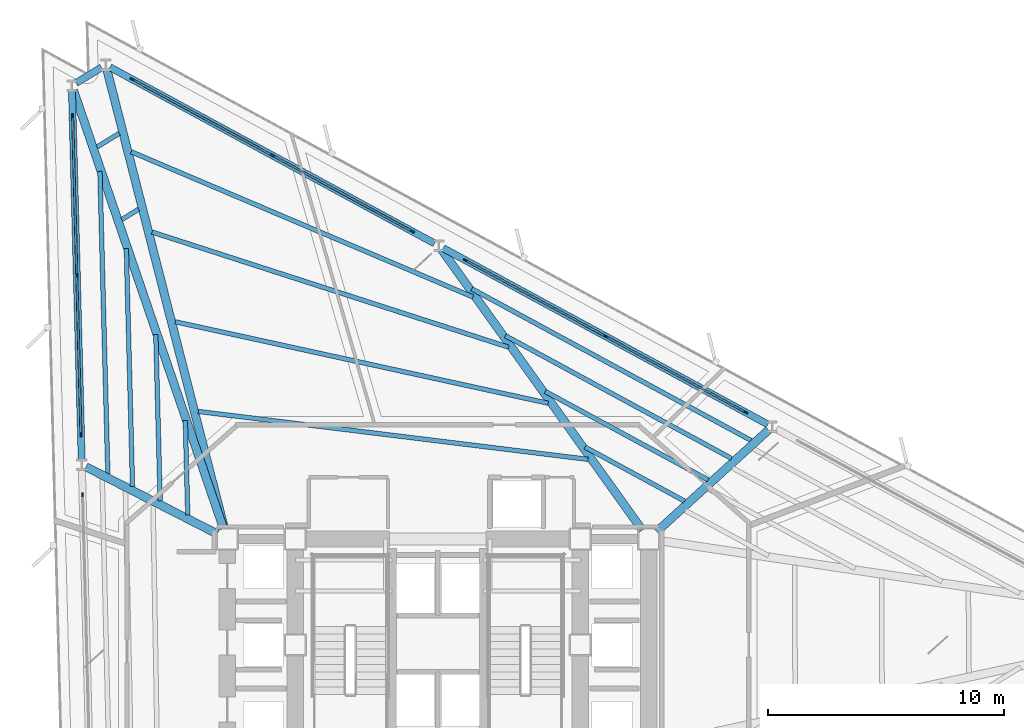
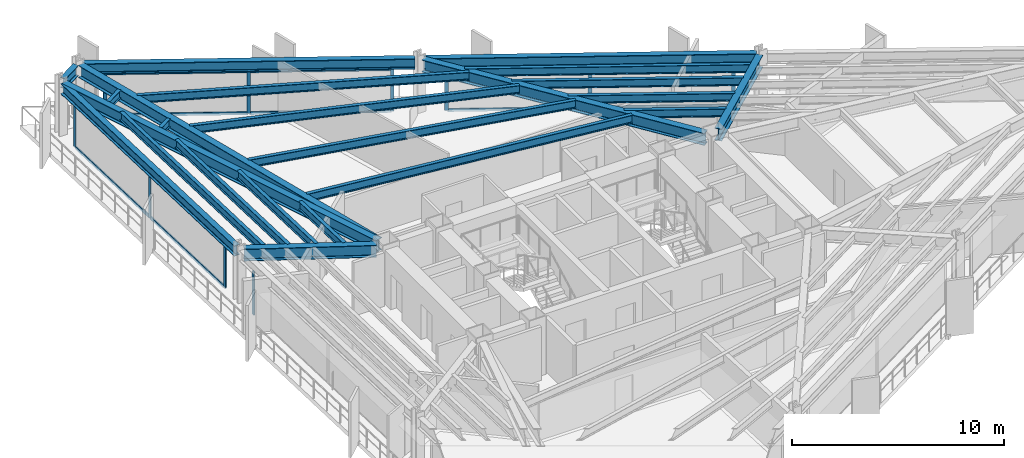
# One storey, part 5 of 14: 23 beams, 22 members, 4 elements without a shape of their own.
"""IFC4 building model written with IfcOpenShell, lengths in metres."""

from ifc_helpers import new_model, si_unit, direction, frame, origin, origin_2d, place, context, subcontext, project, spatial, rectangle, i_section, extrude, material, layer, layer_set, material_profile, profile_set, type_object, element, aggregate, save


model = new_model("IFC4")

# Units and contexts
model_context = context("Model", 3, precision=1e-05, world=origin(), true_north=direction((0.0, 1.0)))
body_context = subcontext(model_context, "Body", "Model", "MODEL_VIEW")
ifc_project = project(units=[si_unit("LENGTHUNIT", "METRE"), si_unit("AREAUNIT", "SQUARE_METRE"), si_unit("VOLUMEUNIT", "CUBIC_METRE"), si_unit("PLANEANGLEUNIT", "RADIAN"), si_unit("MASSUNIT", "GRAM", prefix="KILO")], contexts=[model_context])

# Site, building, storey
site_placement = place(None, origin())
site = spatial("IfcSite", under=ifc_project, at=site_placement, CompositionType="ELEMENT")
building_placement = place(site_placement, origin())
building = spatial("IfcBuilding", under=site, at=building_placement, Name="Rocaltana Carrier Exchange", CompositionType="ELEMENT")
storey_placement = place(building_placement, frame((0.0, 0.0, 25.60009765625)))
storey = spatial("IfcBuildingStorey", under=building, at=storey_placement, Name="L08", CompositionType="ELEMENT", Elevation=25.60009765625)

# Curtain wall, members
ifc_material_1 = material(Name="Aluminium 6063-T6", Category="aluminium")
ifc_layer = layer(ifc_material_1, 0.179931640625)
ifc_layer_set = layer_set([ifc_layer], Name="Aluminium 6063-T6")
curtain_wall_type = type_object("IfcCurtainWallType", Name="Sandstone Spandrel Unitised Curtain Wall CW-01", PredefinedType="NOTDEFINED", material=ifc_layer_set)
curtain_wall_1_placement = place(storey_placement, origin())
curtain_wall_1 = element("IfcCurtainWall", 1, at=curtain_wall_1_placement, inside=storey, type_object=curtain_wall_type, Name="L08 CW-01 Run CW-L08-F1S2", PredefinedType="NOTDEFINED")
ifc_material_2 = material(Name="Aluminium 6063-T6", Category="aluminium")
ifc_material_profile_1 = material_profile(ifc_material_2, rectangle(XDim=0.06494140625, YDim=0.179931640625, at=origin_2d()), Name="AL-65X180")
ifc_profile_set_1 = profile_set([ifc_material_profile_1], Name="Aluminium 6063-T6")
member_type_1 = type_object("IfcMemberType", Name="CW-01 Mullion AL-65X180", PredefinedType="MULLION", material=ifc_profile_set_1)
member_1_placement = place(storey_placement, frame((13.064697265625, 9.87890625, 0.0), z_axis=(0.0, 0.0, 1.0), x_axis=(-0.477164068636, -0.878814230428, 0.0)))
member_1 = element("IfcMember", 2, at=member_1_placement, type_object=member_type_1, Name="CW-01 mullion 1", PredefinedType="MULLION", context=body_context, shape_type="SweptSolid", body=[
    extrude(rectangle(XDim=0.06494140625, YDim=0.179931640625, at=origin_2d()), origin(), (0.0, 0.0, 1.0), 2.477783203125),
])
member_2_placement = place(storey_placement, frame((7.1171875, 13.108154296875, 0.0), z_axis=(0.0, 0.0, 1.0), x_axis=(-0.477164068636, -0.878814230428, 0.0)))
member_2 = element("IfcMember", 3, at=member_2_placement, type_object=member_type_1, Name="CW-01 mullion 2", PredefinedType="MULLION", context=body_context, shape_type="SweptSolid", body=[
    extrude(rectangle(XDim=0.06494140625, YDim=0.179931640625, at=origin_2d()), origin(), (0.0, 0.0, 1.0), 2.477783203125),
])
member_3_placement = place(storey_placement, frame((1.169677734375, 16.33740234375, 0.0), z_axis=(0.0, 0.0, 1.0), x_axis=(-0.477164068636, -0.878814230428, 0.0)))
member_3 = element("IfcMember", 4, at=member_3_placement, type_object=member_type_1, Name="CW-01 mullion 3", PredefinedType="MULLION", context=body_context, shape_type="SweptSolid", body=[
    extrude(rectangle(XDim=0.06494140625, YDim=0.179931640625, at=origin_2d()), origin(), (0.0, 0.0, 1.0), 2.477783203125),
])

curtain_wall_2_placement = place(storey_placement, origin())
curtain_wall_2 = element("IfcCurtainWall", 5, at=curtain_wall_2_placement, inside=storey, type_object=curtain_wall_type, Name="L08 CW-01 Run CW-L08-F1S3", PredefinedType="NOTDEFINED")
member_4_placement = place(storey_placement, frame((-1.08447265625, 17.5615234375, 0.0), z_axis=(0.0, 0.0, 1.0), x_axis=(-0.477155794406, -0.878818722982, 0.0)))
member_4 = element("IfcMember", 6, at=member_4_placement, type_object=member_type_1, Name="CW-01 mullion 1", PredefinedType="MULLION", context=body_context, shape_type="SweptSolid", body=[
    extrude(rectangle(XDim=0.06494140625, YDim=0.179931640625, at=origin_2d()), origin(), (0.0, 0.0, 1.0), 2.477783203125),
])
member_5_placement = place(storey_placement, frame((-7.03173828125, 20.79052734375, 0.0), z_axis=(0.0, 0.0, 1.0), x_axis=(-0.477155794406, -0.878818722982, 0.0)))
member_5 = element("IfcMember", 7, at=member_5_placement, type_object=member_type_1, Name="CW-01 mullion 2", PredefinedType="MULLION", context=body_context, shape_type="SweptSolid", body=[
    extrude(rectangle(XDim=0.06494140625, YDim=0.179931640625, at=origin_2d()), origin(), (0.0, 0.0, 1.0), 2.477783203125),
])
member_6_placement = place(storey_placement, frame((-12.979248046875, 24.019775390625, 0.0), z_axis=(0.0, 0.0, 1.0), x_axis=(-0.477155794406, -0.878818722982, 0.0)))
member_6 = element("IfcMember", 8, at=member_6_placement, type_object=member_type_1, Name="CW-01 mullion 3", PredefinedType="MULLION", context=body_context, shape_type="SweptSolid", body=[
    extrude(rectangle(XDim=0.06494140625, YDim=0.179931640625, at=origin_2d()), origin(), (0.0, 0.0, 1.0), 2.477783203125),
])

curtain_wall_3_placement = place(storey_placement, origin())
curtain_wall_3 = element("IfcCurtainWall", 9, at=curtain_wall_3_placement, inside=storey, type_object=curtain_wall_type, Name="L08 CW-01 Run CW-L08-F2S1", PredefinedType="NOTDEFINED")
member_7_placement = place(storey_placement, frame((-15.50927734375, 22.46923828125, 0.0), z_axis=(0.0, 0.0, 1.0), x_axis=(0.999657143044, 0.026183895077, 0.0)))
member_7 = element("IfcMember", 10, at=member_7_placement, type_object=member_type_1, Name="CW-01 mullion 1", PredefinedType="MULLION", context=body_context, shape_type="SweptSolid", body=[
    extrude(rectangle(XDim=0.06494140625, YDim=0.179931640625, at=origin_2d()), origin(), (0.0, 0.0, 1.0), 2.477783203125),
])
member_8_placement = place(storey_placement, frame((-15.33203125, 15.7041015625, 0.0), z_axis=(0.0, 0.0, 1.0), x_axis=(0.999657143044, 0.026183895077, 0.0)))
member_8 = element("IfcMember", 11, at=member_8_placement, type_object=member_type_1, Name="CW-01 mullion 2", PredefinedType="MULLION", context=body_context, shape_type="SweptSolid", body=[
    extrude(rectangle(XDim=0.06494140625, YDim=0.179931640625, at=origin_2d()), origin(), (0.0, 0.0, 1.0), 2.477783203125),
])
member_9_placement = place(storey_placement, frame((-15.155029296875, 8.93896484375, 0.0), z_axis=(0.0, 0.0, 1.0), x_axis=(0.999657143044, 0.026183895077, 0.0)))
member_9 = element("IfcMember", 12, at=member_9_placement, type_object=member_type_1, Name="CW-01 mullion 3", PredefinedType="MULLION", context=body_context, shape_type="SweptSolid", body=[
    extrude(rectangle(XDim=0.06494140625, YDim=0.179931640625, at=origin_2d()), origin(), (0.0, 0.0, 1.0), 2.477783203125),
])

# Curtain wall, member
curtain_wall_4_placement = place(storey_placement, origin())
curtain_wall_4 = element("IfcCurtainWall", 13, at=curtain_wall_4_placement, inside=storey, type_object=curtain_wall_type, Name="L08 CW-01 Run CW-L08-F2S2", PredefinedType="NOTDEFINED")
member_10_placement = place(storey_placement, frame((-15.087890625, 6.374755859375, 0.0), z_axis=(0.0, 0.0, 1.0), x_axis=(0.99965733548, 0.026176547142, 0.0)))
member_10 = element("IfcMember", 14, at=member_10_placement, type_object=member_type_1, Name="CW-01 mullion 1", PredefinedType="MULLION", context=body_context, shape_type="SweptSolid", body=[
    extrude(rectangle(XDim=0.06494140625, YDim=0.179931640625, at=origin_2d()), origin(), (0.0, 0.0, 1.0), 2.477783203125),
])
aggregate(curtain_wall_4, [member_10])

# Member
ifc_material_3 = material(Name="Aluminium 6063-T6", Category="aluminium")
ifc_material_profile_2 = material_profile(ifc_material_3, rectangle(XDim=0.06494140625, YDim=0.179931640625, at=origin_2d()), Name="AL-65X180")
ifc_profile_set_2 = profile_set([ifc_material_profile_2], Name="Aluminium 6063-T6")
member_type_2 = type_object("IfcMemberType", Name="CW-01 Transom AL-65X180", PredefinedType="USERDEFINED", material=ifc_profile_set_2)
member_11_placement = place(storey_placement, frame((13.0361328125, 9.89453125, 0.032470703125), z_axis=(-0.878815465576, 0.477161793802, 0.0), x_axis=(-0.477161793802, -0.878815465576, 0.0)))
member_11 = element("IfcMember", 15, at=member_11_placement, type_object=member_type_2, Name="CW-01 transom 1.1", ObjectType="TRANSOM", PredefinedType="USERDEFINED", context=body_context, shape_type="SweptSolid", body=[
    extrude(rectangle(XDim=0.06494140625, YDim=0.179931640625, at=origin_2d()), origin(), (0.0, 0.0, 1.0), 6.70263671875),
])

member_12_placement = place(storey_placement, frame((13.0361328125, 9.89453125, 2.4453125), z_axis=(-0.878815465576, 0.477161793802, 0.0), x_axis=(-0.477161793802, -0.878815465576, 0.0)))
member_12 = element("IfcMember", 16, at=member_12_placement, type_object=member_type_2, Name="CW-01 transom 1.2", ObjectType="TRANSOM", PredefinedType="USERDEFINED", context=body_context, shape_type="SweptSolid", body=[
    extrude(rectangle(XDim=0.06494140625, YDim=0.179931640625, at=origin_2d()), origin(), (0.0, 0.0, 1.0), 6.70263671875),
])

member_13_placement = place(storey_placement, frame((7.088623046875, 13.123779296875, 0.032470703125), z_axis=(-0.878815465576, 0.477161793802, 0.0), x_axis=(-0.477161793802, -0.878815465576, 0.0)))
member_13 = element("IfcMember", 17, at=member_13_placement, type_object=member_type_2, Name="CW-01 transom 2.1", ObjectType="TRANSOM", PredefinedType="USERDEFINED", context=body_context, shape_type="SweptSolid", body=[
    extrude(rectangle(XDim=0.06494140625, YDim=0.179931640625, at=origin_2d()), origin(), (0.0, 0.0, 1.0), 6.70263671875),
])

member_14_placement = place(storey_placement, frame((7.088623046875, 13.123779296875, 2.4453125), z_axis=(-0.878815465576, 0.477161793802, 0.0), x_axis=(-0.477161793802, -0.878815465576, 0.0)))
member_14 = element("IfcMember", 18, at=member_14_placement, type_object=member_type_2, Name="CW-01 transom 2.2", ObjectType="TRANSOM", PredefinedType="USERDEFINED", context=body_context, shape_type="SweptSolid", body=[
    extrude(rectangle(XDim=0.06494140625, YDim=0.179931640625, at=origin_2d()), origin(), (0.0, 0.0, 1.0), 6.70263671875),
])

aggregate(curtain_wall_1, [member_1, member_2, member_3, member_11, member_12, member_13, member_14])

member_15_placement = place(storey_placement, frame((-1.113037109375, 17.576904296875, 0.032470703125), z_axis=(-0.87880717191, 0.477177068392, 0.0), x_axis=(-0.477177068392, -0.87880717191, 0.0)))
member_15 = element("IfcMember", 19, at=member_15_placement, type_object=member_type_2, Name="CW-01 transom 1.1", ObjectType="TRANSOM", PredefinedType="USERDEFINED", context=body_context, shape_type="SweptSolid", body=[
    extrude(rectangle(XDim=0.06494140625, YDim=0.179931640625, at=origin_2d()), origin(), (0.0, 0.0, 1.0), 6.702392578125),
])

member_16_placement = place(storey_placement, frame((-1.113037109375, 17.576904296875, 2.4453125), z_axis=(-0.87880717191, 0.477177068392, 0.0), x_axis=(-0.477177068392, -0.87880717191, 0.0)))
member_16 = element("IfcMember", 20, at=member_16_placement, type_object=member_type_2, Name="CW-01 transom 1.2", ObjectType="TRANSOM", PredefinedType="USERDEFINED", context=body_context, shape_type="SweptSolid", body=[
    extrude(rectangle(XDim=0.06494140625, YDim=0.179931640625, at=origin_2d()), origin(), (0.0, 0.0, 1.0), 6.702392578125),
])

member_17_placement = place(storey_placement, frame((-7.060302734375, 20.80615234375, 0.032470703125), z_axis=(-0.878830739565, 0.477133661772, 0.0), x_axis=(-0.477133661772, -0.878830739565, 0.0)))
member_17 = element("IfcMember", 21, at=member_17_placement, type_object=member_type_2, Name="CW-01 transom 2.1", ObjectType="TRANSOM", PredefinedType="USERDEFINED", context=body_context, shape_type="SweptSolid", body=[
    extrude(rectangle(XDim=0.06494140625, YDim=0.179931640625, at=origin_2d()), origin(), (0.0, 0.0, 1.0), 6.70263671875),
])

member_18_placement = place(storey_placement, frame((-7.060302734375, 20.80615234375, 2.4453125), z_axis=(-0.878830739565, 0.477133661772, 0.0), x_axis=(-0.477133661772, -0.878830739565, 0.0)))
member_18 = element("IfcMember", 22, at=member_18_placement, type_object=member_type_2, Name="CW-01 transom 2.2", ObjectType="TRANSOM", PredefinedType="USERDEFINED", context=body_context, shape_type="SweptSolid", body=[
    extrude(rectangle(XDim=0.06494140625, YDim=0.179931640625, at=origin_2d()), origin(), (0.0, 0.0, 1.0), 6.70263671875),
])

aggregate(curtain_wall_2, [member_4, member_5, member_6, member_15, member_16, member_17, member_18])

member_19_placement = place(storey_placement, frame((-15.508544921875, 22.436767578125, 0.032470703125), z_axis=(0.026189818331, -0.999656987879, 0.0), x_axis=(0.999656987879, 0.026189818331, 0.0)))
member_19 = element("IfcMember", 23, at=member_19_placement, type_object=member_type_2, Name="CW-01 transom 1.1", ObjectType="TRANSOM", PredefinedType="USERDEFINED", context=body_context, shape_type="SweptSolid", body=[
    extrude(rectangle(XDim=0.06494140625, YDim=0.179931640625, at=origin_2d()), origin(), (0.0, 0.0, 1.0), 6.702392578125),
])

member_20_placement = place(storey_placement, frame((-15.508544921875, 22.436767578125, 2.4453125), z_axis=(0.026189818331, -0.999656987879, 0.0), x_axis=(0.999656987879, 0.026189818331, 0.0)))
member_20 = element("IfcMember", 24, at=member_20_placement, type_object=member_type_2, Name="CW-01 transom 1.2", ObjectType="TRANSOM", PredefinedType="USERDEFINED", context=body_context, shape_type="SweptSolid", body=[
    extrude(rectangle(XDim=0.06494140625, YDim=0.179931640625, at=origin_2d()), origin(), (0.0, 0.0, 1.0), 6.702392578125),
])

member_21_placement = place(storey_placement, frame((-15.331298828125, 15.671630859375, 0.032470703125), z_axis=(0.026189818331, -0.999656987879, 0.0), x_axis=(0.999656987879, 0.026189818331, 0.0)))
member_21 = element("IfcMember", 25, at=member_21_placement, type_object=member_type_2, Name="CW-01 transom 2.1", ObjectType="TRANSOM", PredefinedType="USERDEFINED", context=body_context, shape_type="SweptSolid", body=[
    extrude(rectangle(XDim=0.06494140625, YDim=0.179931640625, at=origin_2d()), origin(), (0.0, 0.0, 1.0), 6.702392578125),
])

member_22_placement = place(storey_placement, frame((-15.331298828125, 15.671630859375, 2.4453125), z_axis=(0.026189818331, -0.999656987879, 0.0), x_axis=(0.999656987879, 0.026189818331, 0.0)))
member_22 = element("IfcMember", 26, at=member_22_placement, type_object=member_type_2, Name="CW-01 transom 2.2", ObjectType="TRANSOM", PredefinedType="USERDEFINED", context=body_context, shape_type="SweptSolid", body=[
    extrude(rectangle(XDim=0.06494140625, YDim=0.179931640625, at=origin_2d()), origin(), (0.0, 0.0, 1.0), 6.702392578125),
])

aggregate(curtain_wall_3, [member_7, member_8, member_9, member_19, member_20, member_21, member_22])

# Beams
ifc_material_4 = material(Name="Steel S355", Category="steel")
ifc_material_profile_3 = material_profile(ifc_material_4, i_section(OverallWidth=0.193115234375, OverallDepth=0.466064453125, WebThickness=0.011474609375, FlangeThickness=0.01904296875, FilletRadius=0.013916015625, at=origin_2d()), Name="W18X65")
ifc_profile_set_3 = profile_set([ifc_material_profile_3], Name="Steel S355")
beam_type_1 = type_object("IfcBeamType", Name="Floor Joist W18X65", PredefinedType="JOIST", material=ifc_profile_set_3)
beam_1_placement = place(storey_placement, frame((10.4765625, 6.107421875, 2.864990234375), z_axis=(-0.87880781256, 0.477175888518, 0.0), x_axis=(-0.477175888518, -0.87880781256, 0.0)))
element("IfcBeam", 27, at=beam_1_placement, inside=storey, type_object=beam_type_1, Name="FJ-L08-02-1", PredefinedType="JOIST", context=body_context, shape_type="SweptSolid", body=[
    extrude(i_section(OverallWidth=0.193115234375, OverallDepth=0.466064453125, WebThickness=0.011474609375, FlangeThickness=0.01904296875, FilletRadius=0.013916015625, at=origin_2d()), origin(), (0.0, 0.0, 1.0), 4.808837890625),
])
beam_2_placement = place(storey_placement, frame((11.472412109375, 7.01318359375, 2.864990234375), z_axis=(-0.878817742056, 0.477157601059, 0.0), x_axis=(-0.477157601059, -0.878817742056, 0.0)))
element("IfcBeam", 28, at=beam_2_placement, inside=storey, type_object=beam_type_1, Name="FJ-L08-02-2", PredefinedType="JOIST", context=body_context, shape_type="SweptSolid", body=[
    extrude(i_section(OverallWidth=0.193115234375, OverallDepth=0.466064453125, WebThickness=0.011474609375, FlangeThickness=0.01904296875, FilletRadius=0.013916015625, at=origin_2d()), origin(), (0.0, 0.0, 1.0), 7.86767578125),
])
beam_3_placement = place(storey_placement, frame((12.468505859375, 7.918701171875, 2.864990234375), z_axis=(-0.878813547662, 0.477165326115, 0.0), x_axis=(-0.477165326115, -0.878813547662, 0.0)))
element("IfcBeam", 29, at=beam_3_placement, inside=storey, type_object=beam_type_1, Name="FJ-L08-02-3", PredefinedType="JOIST", context=body_context, shape_type="SweptSolid", body=[
    extrude(i_section(OverallWidth=0.193115234375, OverallDepth=0.466064453125, WebThickness=0.011474609375, FlangeThickness=0.01904296875, FilletRadius=0.013916015625, at=origin_2d()), origin(), (0.0, 0.0, 1.0), 10.92724609375),
])
beam_4_placement = place(storey_placement, frame((13.30712890625, 8.681396484375, 2.864990234375), z_axis=(-0.878808808583, 0.477174054152, 0.0), x_axis=(-0.477174054152, -0.878808808583, 0.0)))
element("IfcBeam", 30, at=beam_4_placement, inside=storey, type_object=beam_type_1, Name="FJ-L08-02-4", PredefinedType="JOIST", context=body_context, shape_type="SweptSolid", body=[
    extrude(i_section(OverallWidth=0.193115234375, OverallDepth=0.466064453125, WebThickness=0.011474609375, FlangeThickness=0.01904296875, FilletRadius=0.013916015625, at=origin_2d()), origin(), (0.0, 0.0, 1.0), 13.503173828125),
])
beam_5_placement = place(storey_placement, frame((6.374755859375, 7.882080078125, 2.864990234375), z_axis=(-0.992538792143, 0.121929266752, 0.0), x_axis=(-0.121929266752, -0.992538792143, 0.0)))
element("IfcBeam", 31, at=beam_5_placement, inside=storey, type_object=beam_type_1, Name="FJ-L08-03-1", PredefinedType="JOIST", context=body_context, shape_type="SweptSolid", body=[
    extrude(i_section(OverallWidth=0.193115234375, OverallDepth=0.466064453125, WebThickness=0.011474609375, FlangeThickness=0.01904296875, FilletRadius=0.013916015625, at=origin_2d()), origin(), (0.0, 0.0, 1.0), 16.671142578125),
])
beam_6_placement = place(storey_placement, frame((4.68505859375, 10.26318359375, 2.864990234375), z_axis=(-0.976950483749, 0.213466044848, 0.0), x_axis=(-0.213466044848, -0.976950483749, 0.0)))
element("IfcBeam", 32, at=beam_6_placement, inside=storey, type_object=beam_type_1, Name="FJ-L08-03-2", PredefinedType="JOIST", context=body_context, shape_type="SweptSolid", body=[
    extrude(i_section(OverallWidth=0.193115234375, OverallDepth=0.466064453125, WebThickness=0.011474609375, FlangeThickness=0.01904296875, FilletRadius=0.013916015625, at=origin_2d()), origin(), (0.0, 0.0, 1.0), 16.213134765625),
])
beam_7_placement = place(storey_placement, frame((2.9970703125, 12.644775390625, 2.864990234375), z_axis=(-0.951601211607, 0.307335539872, 0.0), x_axis=(-0.307335539872, -0.951601211607, 0.0)))
element("IfcBeam", 33, at=beam_7_placement, inside=storey, type_object=beam_type_1, Name="FJ-L08-03-3", PredefinedType="JOIST", context=body_context, shape_type="SweptSolid", body=[
    extrude(i_section(OverallWidth=0.193115234375, OverallDepth=0.466064453125, WebThickness=0.011474609375, FlangeThickness=0.01904296875, FilletRadius=0.013916015625, at=origin_2d()), origin(), (0.0, 0.0, 1.0), 15.905029296875),
])
beam_8_placement = place(storey_placement, frame((1.48828125, 14.775634765625, 2.864990234375), z_axis=(-0.920350290518, 0.391095055891, 0.0), x_axis=(-0.391095055891, -0.920350290518, 0.0)))
element("IfcBeam", 34, at=beam_8_placement, inside=storey, type_object=beam_type_1, Name="FJ-L08-03-4", PredefinedType="JOIST", context=body_context, shape_type="SweptSolid", body=[
    extrude(i_section(OverallWidth=0.193115234375, OverallDepth=0.466064453125, WebThickness=0.011474609375, FlangeThickness=0.01904296875, FilletRadius=0.013916015625, at=origin_2d()), origin(), (0.0, 0.0, 1.0), 15.76416015625),
])
beam_9_placement = place(storey_placement, frame((-12.70556640625, 18.502685546875, 2.864990234375), z_axis=(-0.852508958132, -0.522712613493, 0.0), x_axis=(0.522712613493, -0.852508958132, 0.0)))
element("IfcBeam", 35, at=beam_9_placement, inside=storey, type_object=beam_type_1, Name="FJ-L08-04-3", PredefinedType="JOIST", context=body_context, shape_type="SweptSolid", body=[
    extrude(i_section(OverallWidth=0.193115234375, OverallDepth=0.466064453125, WebThickness=0.011474609375, FlangeThickness=0.01904296875, FilletRadius=0.013916015625, at=origin_2d()), origin(), (0.0, 0.0, 1.0), 0.83642578125),
])
beam_10_placement = place(storey_placement, frame((-13.530517578125, 21.7236328125, 2.864990234375), z_axis=(-0.852664692341, -0.52245853657, 0.0), x_axis=(0.52245853657, -0.852664692341, 0.0)))
element("IfcBeam", 36, at=beam_10_placement, inside=storey, type_object=beam_type_1, Name="FJ-L08-04-4", PredefinedType="JOIST", context=body_context, shape_type="SweptSolid", body=[
    extrude(i_section(OverallWidth=0.193115234375, OverallDepth=0.466064453125, WebThickness=0.011474609375, FlangeThickness=0.01904296875, FilletRadius=0.013916015625, at=origin_2d()), origin(), (0.0, 0.0, 1.0), 1.106201171875),
])
beam_11_placement = place(storey_placement, frame((-10.7255859375, 9.5263671875, 2.864990234375), z_axis=(0.02615756085, -0.999657832466, 0.0), x_axis=(0.999657832466, 0.02615756085, 0.0)))
element("IfcBeam", 37, at=beam_11_placement, inside=storey, type_object=beam_type_1, Name="FJ-L08-05-1", PredefinedType="JOIST", context=body_context, shape_type="SweptSolid", body=[
    extrude(i_section(OverallWidth=0.193115234375, OverallDepth=0.466064453125, WebThickness=0.011474609375, FlangeThickness=0.01904296875, FilletRadius=0.013916015625, at=origin_2d()), origin(), (0.0, 0.0, 1.0), 4.004150390625),
])
beam_12_placement = place(storey_placement, frame((-11.978271484375, 13.18408203125, 2.864990234375), z_axis=(0.026201236861, -0.999656688662, 0.0), x_axis=(0.999656688662, 0.026201236861, 0.0)))
element("IfcBeam", 38, at=beam_12_placement, inside=storey, type_object=beam_type_1, Name="FJ-L08-05-2", PredefinedType="JOIST", context=body_context, shape_type="SweptSolid", body=[
    extrude(i_section(OverallWidth=0.193115234375, OverallDepth=0.466064453125, WebThickness=0.011474609375, FlangeThickness=0.01904296875, FilletRadius=0.013916015625, at=origin_2d()), origin(), (0.0, 0.0, 1.0), 7.06298828125),
])
beam_13_placement = place(storey_placement, frame((-13.23095703125, 16.841796875, 2.864990234375), z_axis=(0.026194410862, -0.99965686755, 0.0), x_axis=(0.99965686755, 0.026194410862, 0.0)))
element("IfcBeam", 39, at=beam_13_placement, inside=storey, type_object=beam_type_1, Name="FJ-L08-05-3", PredefinedType="JOIST", context=body_context, shape_type="SweptSolid", body=[
    extrude(i_section(OverallWidth=0.193115234375, OverallDepth=0.466064453125, WebThickness=0.011474609375, FlangeThickness=0.01904296875, FilletRadius=0.013916015625, at=origin_2d()), origin(), (0.0, 0.0, 1.0), 10.121826171875),
])
beam_14_placement = place(storey_placement, frame((-14.351806640625, 20.114501953125, 2.864990234375), z_axis=(0.026200832731, -0.999656699254, 0.0), x_axis=(0.999656699254, 0.026200832731, 0.0)))
element("IfcBeam", 40, at=beam_14_placement, inside=storey, type_object=beam_type_1, Name="FJ-L08-05-4", PredefinedType="JOIST", context=body_context, shape_type="SweptSolid", body=[
    extrude(i_section(OverallWidth=0.193115234375, OverallDepth=0.466064453125, WebThickness=0.011474609375, FlangeThickness=0.01904296875, FilletRadius=0.013916015625, at=origin_2d()), origin(), (0.0, 0.0, 1.0), 12.85888671875),
])
ifc_material_5 = material(Name="Steel S355", Category="steel")
ifc_material_profile_4 = material_profile(ifc_material_5, i_section(OverallWidth=0.35498046875, OverallDepth=0.695068359375, WebThickness=0.015380859375, FlangeThickness=0.02490234375, FilletRadius=0.01806640625, at=origin_2d()), Name="W27X146")
ifc_profile_set_4 = profile_set([ifc_material_profile_4], Name="Steel S355")
beam_type_2 = type_object("IfcBeamType", Name="Radial Girder W27X146", PredefinedType="BEAM", material=ifc_profile_set_4)
beam_15_placement = place(storey_placement, frame((9.29541015625, 4.814208984375, 2.75048828125), z_axis=(0.73980908692, 0.672816850941, 0.0), x_axis=(-0.672816850941, 0.73980908692, 0.0)))
element("IfcBeam", 41, at=beam_15_placement, inside=storey, type_object=beam_type_2, Name="RG-L08-02", PredefinedType="BEAM", context=body_context, shape_type="SweptSolid", body=[
    extrude(i_section(OverallWidth=0.35498046875, OverallDepth=0.695068359375, WebThickness=0.015380859375, FlangeThickness=0.02490234375, FilletRadius=0.01806640625, at=origin_2d()), origin(), (0.0, 0.0, 1.0), 6.410400390625),
])
beam_16_placement = place(storey_placement, frame((8.67822265625, 4.8798828125, 2.75048828125), z_axis=(-0.581877216918, 0.813276646924, 0.0), x_axis=(-0.813276646924, -0.581877216918, 0.0)))
element("IfcBeam", 42, at=beam_16_placement, inside=storey, type_object=beam_type_2, Name="RG-L08-03", PredefinedType="BEAM", context=body_context, shape_type="SweptSolid", body=[
    extrude(i_section(OverallWidth=0.35498046875, OverallDepth=0.695068359375, WebThickness=0.015380859375, FlangeThickness=0.02490234375, FilletRadius=0.01806640625, at=origin_2d()), origin(), (0.0, 0.0, 1.0), 14.632568359375),
])
beam_17_placement = place(storey_placement, frame((-9.06591796875, 4.952392578125, 2.75048828125), z_axis=(-0.24811709333, 0.968730049084, 0.0), x_axis=(-0.968730049084, -0.24811709333, 0.0)))
element("IfcBeam", 43, at=beam_17_placement, inside=storey, type_object=beam_type_2, Name="RG-L08-04", PredefinedType="BEAM", context=body_context, shape_type="SweptSolid", body=[
    extrude(i_section(OverallWidth=0.35498046875, OverallDepth=0.695068359375, WebThickness=0.015380859375, FlangeThickness=0.02490234375, FilletRadius=0.01806640625, at=origin_2d()), origin(), (0.0, 0.0, 1.0), 20.1064453125),
])
beam_18_placement = place(storey_placement, frame((-9.101318359375, 4.94189453125, 2.75048828125), z_axis=(-0.3239978436, 0.946057819239, 0.0), x_axis=(-0.946057819239, -0.3239978436, 0.0)))
element("IfcBeam", 44, at=beam_18_placement, inside=storey, type_object=beam_type_2, Name="RG-L08-05", PredefinedType="BEAM", context=body_context, shape_type="SweptSolid", body=[
    extrude(i_section(OverallWidth=0.35498046875, OverallDepth=0.695068359375, WebThickness=0.015380859375, FlangeThickness=0.02490234375, FilletRadius=0.01806640625, at=origin_2d()), origin(), (0.0, 0.0, 1.0), 19.673828125),
])
beam_19_placement = place(storey_placement, frame((-9.36572265625, 4.712646484375, 2.75048828125), z_axis=(-0.890292679997, 0.455388783287, 0.0), x_axis=(-0.455388783287, -0.890292679997, 0.0)))
element("IfcBeam", 45, at=beam_19_placement, inside=storey, type_object=beam_type_2, Name="RG-L08-06", PredefinedType="BEAM", context=body_context, shape_type="SweptSolid", body=[
    extrude(i_section(OverallWidth=0.35498046875, OverallDepth=0.695068359375, WebThickness=0.015380859375, FlangeThickness=0.02490234375, FilletRadius=0.01806640625, at=origin_2d()), origin(), (0.0, 0.0, 1.0), 6.257080078125),
])
ifc_material_6 = material(Name="Steel S355", Category="steel")
ifc_material_profile_5 = material_profile(ifc_material_6, i_section(OverallWidth=0.300048828125, OverallDepth=0.60009765625, WebThickness=0.015380859375, FlangeThickness=0.030029296875, FilletRadius=0.027099609375, at=origin_2d()), Name="HEB600")
ifc_profile_set_5 = profile_set([ifc_material_profile_5], Name="Steel S355")
beam_type_3 = type_object("IfcBeamType", Name="Spandrel Edge Beam HEB600", PredefinedType="SPANDREL", material=ifc_profile_set_5)
for number, where, z_axis, x_axis, name in (
    (46, (14.0087890625, 9.3662109375, 2.7978515625), (-0.8788112834, 0.477169496269, 0.0), (-0.477169496269, -0.8788112834, 0.0), "SP-L08-02"),
    (47, (-0.14013671875, 17.048583984375, 2.7978515625), (-0.8788112834, 0.477169496269, 0.0), (-0.477169496269, -0.8788112834, 0.0), "SP-L08-03"),
):
    element("IfcBeam", number, at=place(storey_placement, frame(where, z_axis=z_axis, x_axis=x_axis)), inside=storey, type_object=beam_type_3, Name=name, PredefinedType="SPANDREL", context=body_context, shape_type="SweptSolid", body=[
        extrude(i_section(OverallWidth=0.300048828125, OverallDepth=0.60009765625, WebThickness=0.015380859375, FlangeThickness=0.030029296875, FilletRadius=0.027099609375, at=origin_2d()), origin(), (0.0, 0.0, 1.0), 15.683837890625),
    ])
beam_20_placement = place(storey_placement, frame((-14.283447265625, 24.52294921875, 2.7978515625), z_axis=(-0.852720134586, -0.522368042735, 0.0), x_axis=(0.522368042735, -0.852720134586, 0.0)))
element("IfcBeam", 48, at=beam_20_placement, inside=storey, type_object=beam_type_3, Name="SP-L08-04", PredefinedType="SPANDREL", context=body_context, shape_type="SweptSolid", body=[
    extrude(i_section(OverallWidth=0.300048828125, OverallDepth=0.60009765625, WebThickness=0.015380859375, FlangeThickness=0.030029296875, FilletRadius=0.027099609375, at=origin_2d()), origin(), (0.0, 0.0, 1.0), 1.268798828125),
])
beam_21_placement = place(storey_placement, frame((-15.53759765625, 23.54345703125, 2.7978515625), z_axis=(0.026197794439, -0.999656778883, 0.0), x_axis=(0.999656778883, 0.026197794439, 0.0)))
element("IfcBeam", 49, at=beam_21_placement, inside=storey, type_object=beam_type_3, Name="SP-L08-05", PredefinedType="SPANDREL", context=body_context, shape_type="SweptSolid", body=[
    extrude(i_section(OverallWidth=0.300048828125, OverallDepth=0.60009765625, WebThickness=0.015380859375, FlangeThickness=0.030029296875, FilletRadius=0.027099609375, at=origin_2d()), origin(), (0.0, 0.0, 1.0), 15.68408203125),
])

save(model, "model.ifc")
